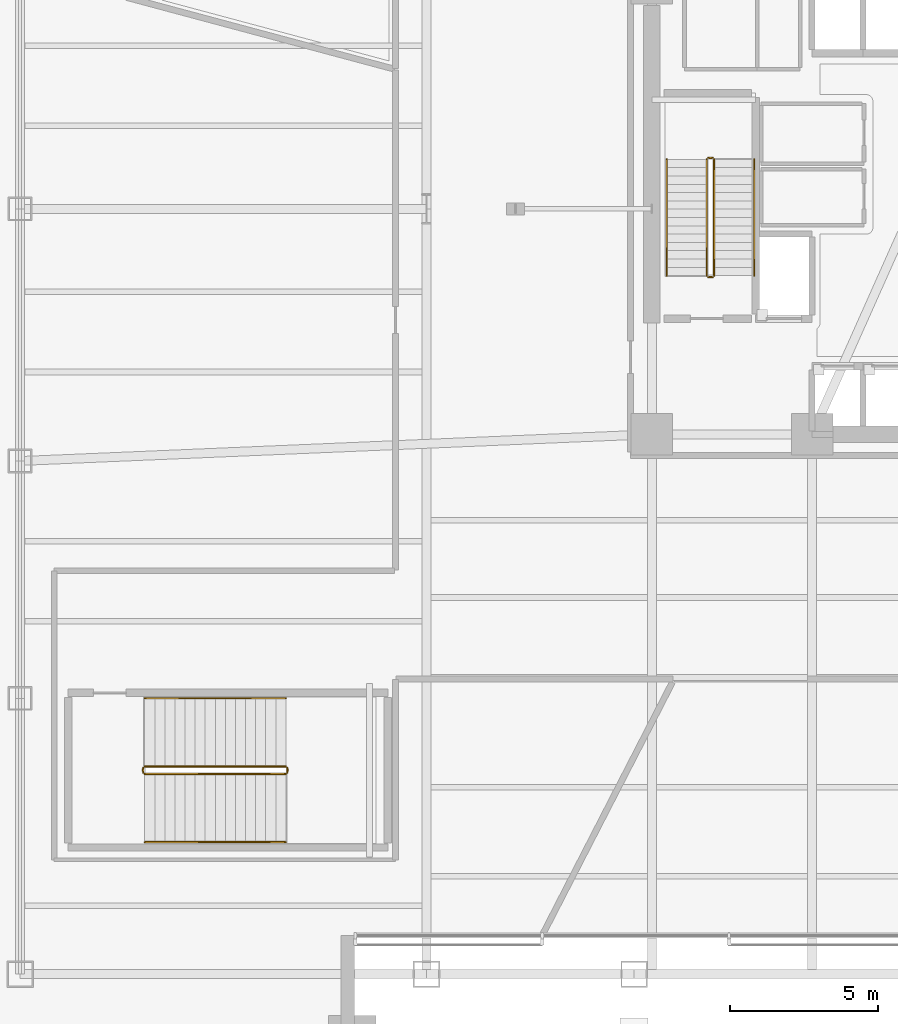
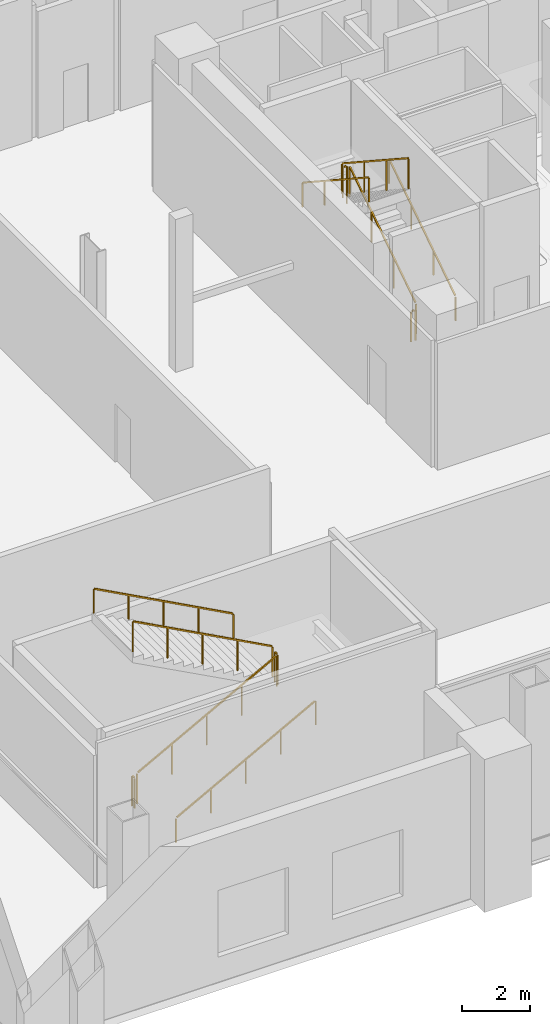
# One storey, part 13 of 16: 12 railings.
"""IFC4 building model written with IfcOpenShell, lengths in metres."""

import ifcopenshell
import ifcopenshell.guid

model = None  # the IFC model being written
_history = None  # IfcOwnerHistory: only IFC2X3 demands one
_inside = {}  # id of a spatial element -> (the spatial element, [elements in it])
_under = {}  # id of a project, library or spatial element -> (it, [spatial elements below it])
_declared = {}  # id of a project -> (the project, [libraries it declares])
_typed = {}  # id of a type object -> (the type object, [elements of that type])
_made_of = {}  # id of a material, layer set ... -> (it, [elements and type objects made of it])


def new_model(schema):
    """Start an empty IFC model of exactly this schema.

    Asked for "IFC4X3", IfcOpenShell would pick the latest addendum, in which some entities
    have other attributes; the version numbers below select the first issue.
    IFC2X3 requires an IfcOwnerHistory on every rooted entity: one is made here for all.
    """
    global model, _history
    if schema == "IFC4X3":
        model = ifcopenshell.file(schema_version=(4, 3, 0, 0))
    else:
        model = ifcopenshell.file(schema=schema)
    _inside.clear()
    _under.clear()
    _declared.clear()
    _typed.clear()
    _made_of.clear()
    _history = None
    if model.schema == "IFC2X3":
        org = make("IfcOrganization", Name="unknown")
        user = make(
            "IfcPersonAndOrganization",
            ThePerson=make("IfcPerson", FamilyName="unknown"),
            TheOrganization=org,
        )
        app = make(
            "IfcApplication",
            ApplicationDeveloper=org,
            Version="unknown",
            ApplicationFullName="unknown",
            ApplicationIdentifier="unknown",
        )
        _history = make(
            "IfcOwnerHistory",
            OwningUser=user,
            OwningApplication=app,
            ChangeAction="ADDED",
            CreationDate=0,
        )
    return model


def make(cls, **values):
    """One entity of the class cls with the attributes given. An attribute that is None is left unset."""
    return model.create_entity(
        cls, **{name: value for name, value in values.items() if value is not None}
    )


def rooted(cls, **values):
    """An entity with a GlobalId (a new one), such as an element, a storey or a relation."""
    return make(cls, GlobalId=ifcopenshell.guid.new(), OwnerHistory=_history, **values)


def si_unit(unit_type, name, prefix=None):
    """IfcSIUnit, for example si_unit("LENGTHUNIT", "METRE", prefix="MILLI")."""
    return make("IfcSIUnit", UnitType=unit_type, Prefix=prefix, Name=name)


def assignment(units):
    """IfcUnitAssignment: the units of a project."""
    return None if units is None else make("IfcUnitAssignment", Units=units)


def point(xyz):
    """IfcCartesianPoint."""
    return None if xyz is None else make("IfcCartesianPoint", Coordinates=xyz)


def direction(xyz):
    """IfcDirection."""
    return None if xyz is None else make("IfcDirection", DirectionRatios=xyz)


def frame(location, z_axis=None, x_axis=None):
    """IfcAxis2Placement3D, a coordinate frame: its origin and axes. An axis left out is left unset."""
    return make(
        "IfcAxis2Placement3D",
        Location=point(location),
        Axis=direction(z_axis),
        RefDirection=direction(x_axis),
    )


def frame_2d(location, x_axis=None):
    """IfcAxis2Placement2D, a coordinate frame in the plane: its origin and x axis."""
    return make(
        "IfcAxis2Placement2D", Location=point(location), RefDirection=direction(x_axis)
    )


def origin():
    """The frame at (0, 0, 0) with its axes left unset."""
    return frame((0.0, 0.0, 0.0))


def origin_2d():
    """The frame at (0, 0) in the plane with its x axis left unset."""
    return frame_2d((0.0, 0.0))


def place(relative_to, where):
    """IfcLocalPlacement: puts the frame where relative to a parent placement (None: the world)."""
    return make(
        "IfcLocalPlacement", PlacementRelTo=relative_to, RelativePlacement=where
    )


def context(
    kind, dimensions, precision=None, world=None, true_north=None, identifier=None
):
    """IfcGeometricRepresentationContext, for example the 3D "Model" context."""
    return make(
        "IfcGeometricRepresentationContext",
        ContextIdentifier=identifier,
        ContextType=kind,
        CoordinateSpaceDimension=dimensions,
        Precision=precision,
        WorldCoordinateSystem=world,
        TrueNorth=true_north,
    )


def subcontext(parent, identifier, kind, view, scale=None):
    """IfcGeometricRepresentationSubContext, for example "Body" below "Model"."""
    return make(
        "IfcGeometricRepresentationSubContext",
        ContextIdentifier=identifier,
        ContextType=kind,
        ParentContext=parent,
        TargetScale=scale,
        TargetView=view,
    )


def project(units=None, contexts=None):
    """IfcProject with its units and contexts."""
    return rooted(
        "IfcProject",
        Name="project",
        RepresentationContexts=contexts,
        UnitsInContext=assignment(units),
    )


def spatial(cls, under=None, at=None, **own):
    """A site, building, storey or space (cls), placed at a placement, below another one or the project."""
    s = rooted(cls, ObjectPlacement=at, **own)
    if under is not None:
        _under.setdefault(under.id(), (under, []))[1].append(s)
    return s


def profile(cls, at=None, kind="AREA", **sizes):
    """A parametric profile (cls). Its sizes go by their IFC names, for example OverallWidth=200.0."""
    return make(cls, ProfileType=kind, Position=at, **sizes)


def rectangle(**sizes):
    """IfcRectangleProfileDef."""
    return profile("IfcRectangleProfileDef", **sizes)


def extrude(swept, where, along, depth):
    """IfcExtrudedAreaSolid: the profile swept, set in the frame where, extruded along a direction by depth."""
    return make(
        "IfcExtrudedAreaSolid",
        SweptArea=swept,
        Position=where,
        ExtrudedDirection=direction(along),
        Depth=depth,
    )


def shape(context_of_items, identifier, shape_type, items):
    """IfcShapeRepresentation: the items that make up one representation, for example the "Body"."""
    return make(
        "IfcShapeRepresentation",
        ContextOfItems=context_of_items,
        RepresentationIdentifier=identifier,
        RepresentationType=shape_type,
        Items=items,
    )


def material(Name=None, Category=None):
    """IfcMaterial."""
    return make("IfcMaterial", Name=Name, Category=Category)


def made_of(thing, what):
    """Note that an element or type object is made of a material, layer set ...; save() writes the relation."""
    if what is not None:
        _made_of.setdefault(what.id(), (what, []))[1].append(thing)
    return thing


def type_object(cls, material=None, **own):
    """A type object (cls), such as IfcWallType, which elements share."""
    return made_of(rooted(cls, **own), material)


def element(
    cls,
    number,
    at=None,
    inside=None,
    cuts=None,
    type_object=None,
    material=None,
    context=None,
    identifier="Body",
    shape_type=None,
    held_by="IfcProductDefinitionShape",
    body=None,
    shapes=None,
    **own,
):
    """One element of the class cls, such as IfcWall. Its Tag is "e" and its number.

    at: its placement. inside: the storey or other place that contains it. cuts: it is an
    opening in that element (IfcRelVoidsElement). A single representation is given by context,
    identifier, shape_type and body (its items); several are given by shapes. held_by: the class
    of the entity that holds the representations. save() writes the other relations.
    """
    e = rooted(cls, Tag="e%d" % number, ObjectPlacement=at, **own)
    if body is not None:
        shapes = [shape(context, identifier, shape_type, body)]
    if shapes is not None:
        e.Representation = make(held_by, Representations=shapes)
    if inside is not None:
        _inside.setdefault(inside.id(), (inside, []))[1].append(e)
    if cuts is not None:
        rooted(
            "IfcRelVoidsElement", RelatingBuildingElement=cuts, RelatedOpeningElement=e
        )
    if type_object is not None:
        _typed.setdefault(type_object.id(), (type_object, []))[1].append(e)
    return made_of(e, material)


def aggregate(whole, parts):
    """IfcRelAggregates: a whole, such as a stair, and the parts it consists of."""
    return rooted("IfcRelAggregates", RelatingObject=whole, RelatedObjects=parts)


def save(model, path):
    """Write the relations noted so far, then the file.

    IfcRelAggregates (storeys below a building ...), IfcRelContainedInSpatialStructure (elements
    in a storey), IfcRelDefinesByType, IfcRelAssociatesMaterial and IfcRelDeclares: one each for
    every whole, place, type object, material and project.
    """
    for whole, parts in _under.values():
        aggregate(whole, parts)
    for where, things in _inside.values():
        rooted(
            "IfcRelContainedInSpatialStructure",
            RelatedElements=things,
            RelatingStructure=where,
        )
    for kind, things in _typed.values():
        rooted("IfcRelDefinesByType", RelatedObjects=things, RelatingType=kind)
    for what, things in _made_of.values():
        rooted("IfcRelAssociatesMaterial", RelatedObjects=things, RelatingMaterial=what)
    for by, libraries in _declared.values():
        rooted("IfcRelDeclares", RelatingContext=by, RelatedDefinitions=libraries)
    model.write(path)


model = new_model("IFC4")

# Units and contexts
model_context = context("Model", 3, precision=1e-05, world=origin(), true_north=direction((0.0, 1.0)))
body_context = subcontext(model_context, "Body", "Model", "MODEL_VIEW")
ifc_project = project(units=[si_unit("LENGTHUNIT", "METRE"), si_unit("AREAUNIT", "SQUARE_METRE"), si_unit("VOLUMEUNIT", "CUBIC_METRE"), si_unit("PLANEANGLEUNIT", "RADIAN"), si_unit("MASSUNIT", "GRAM", prefix="KILO")], contexts=[model_context])

# Site, building, storey
site_placement = place(None, origin())
site = spatial("IfcSite", under=ifc_project, at=site_placement, CompositionType="ELEMENT")
building_placement = place(site_placement, origin())
building = spatial("IfcBuilding", under=site, at=building_placement, Name="Tharavind Bronze Gate", CompositionType="ELEMENT")
storey_placement = place(building_placement, frame((0.0, 0.0, 5.5)))
storey = spatial("IfcBuildingStorey", under=building, at=storey_placement, Name="L01", CompositionType="ELEMENT", Elevation=5.5)

# Railings
ifc_material = material(Name="Brushed Bronze Alloy", Category="metal")
railing_type_1 = type_object("IfcRailingType", Name="STAIR BRONZE HANDRAIL 900", PredefinedType="HANDRAIL", material=ifc_material)
railing_1_placement = place(storey_placement, frame((-5.449951171875, -2.25, 0.183349609375)))
element("IfcRailing", 1, at=railing_1_placement, inside=storey, type_object=railing_type_1, Name="L01 ST1 stair handrail 1", PredefinedType="HANDRAIL", context=body_context, shape_type="SweptSolid", body=[
    extrude(rectangle(XDim=0.048095703125, YDim=0.048095703125, at=origin_2d()), frame((0.0, 0.02685546875, 0.893310546875), z_axis=(0.0, 0.836615117243, 0.547791151444), x_axis=(-1.0, 0.0, 0.0)), (0.0, 0.0, 1.0), 4.621337890625),
    extrude(rectangle(XDim=0.0400390625, YDim=0.0400390625, at=origin_2d()), origin(), (0.0, 0.0, 1.0), 0.847900390625),
    extrude(rectangle(XDim=0.0400390625, YDim=0.0400390625, at=origin_2d()), frame((0.0, 1.306640625, 0.85546875)), (0.0, 0.0, 1.0), 0.847900390625),
    extrude(rectangle(XDim=0.0400390625, YDim=0.0400390625, at=origin_2d()), frame((0.0, 2.61328125, 1.711181640625)), (0.0, 0.0, 1.0), 0.847900390625),
    extrude(rectangle(XDim=0.0400390625, YDim=0.0400390625, at=origin_2d()), frame((0.0, 3.919921875, 2.566650390625)), (0.0, 0.0, 1.0), 0.847900390625),
])
railing_2_placement = place(storey_placement, frame((-8.39990234375, 1.669921875, 2.933349609375)))
element("IfcRailing", 2, at=railing_2_placement, inside=storey, type_object=railing_type_1, Name="L01 ST1 stair handrail 2", PredefinedType="HANDRAIL", context=body_context, shape_type="SweptSolid", body=[
    extrude(rectangle(XDim=0.048095703125, YDim=0.048095703125, at=origin_2d()), frame((0.0, -0.02685546875, 0.893310546875), z_axis=(0.0, -0.836615117243, 0.547791151444), x_axis=(1.0, 0.0, 0.0)), (0.0, 0.0, 1.0), 4.621337890625),
    extrude(rectangle(XDim=0.0400390625, YDim=0.0400390625, at=origin_2d()), origin(), (0.0, 0.0, 1.0), 0.847900390625),
    extrude(rectangle(XDim=0.0400390625, YDim=0.0400390625, at=origin_2d()), frame((0.0, -1.306640625, 0.85546875)), (0.0, 0.0, 1.0), 0.847900390625),
    extrude(rectangle(XDim=0.0400390625, YDim=0.0400390625, at=origin_2d()), frame((0.0, -2.61328125, 1.711181640625)), (0.0, 0.0, 1.0), 0.847900390625),
    extrude(rectangle(XDim=0.0400390625, YDim=0.0400390625, at=origin_2d()), frame((0.0, -3.919921875, 2.566650390625)), (0.0, 0.0, 1.0), 0.847900390625),
])
railing_3_placement = place(storey_placement, frame((-26.0, -21.35009765625, 0.183349609375)))
element("IfcRailing", 3, at=railing_3_placement, inside=storey, type_object=railing_type_1, Name="L01 ST3 stair handrail 1", PredefinedType="HANDRAIL", context=body_context, shape_type="SweptSolid", body=[
    extrude(rectangle(XDim=0.048095703125, YDim=0.048095703125, at=origin_2d()), frame((0.028076171875, 0.0, 0.89111328125), z_axis=(0.880195524343, 0.0, 0.474611250316), x_axis=(0.0, 1.0, 0.0)), (0.0, 0.0, 1.0), 5.343994140625),
    extrude(rectangle(XDim=0.0400390625, YDim=0.0400390625, at=origin_2d()), origin(), (0.0, 0.0, 1.0), 0.847900390625),
    extrude(rectangle(XDim=0.0400390625, YDim=0.0400390625, at=origin_2d()), frame((1.18994140625, 0.0, 0.6416015625)), (0.0, 0.0, 1.0), 0.847900390625),
    extrude(rectangle(XDim=0.0400390625, YDim=0.0400390625, at=origin_2d()), frame((2.3798828125, 0.0, 1.283203125)), (0.0, 0.0, 1.0), 0.847900390625),
    extrude(rectangle(XDim=0.0400390625, YDim=0.0400390625, at=origin_2d()), frame((3.570068359375, 0.0, 1.925048828125)), (0.0, 0.0, 1.0), 0.847900390625),
    extrude(rectangle(XDim=0.0400390625, YDim=0.0400390625, at=origin_2d()), frame((4.760009765625, 0.0, 2.566650390625)), (0.0, 0.0, 1.0), 0.847900390625),
])
railing_4_placement = place(storey_placement, frame((-21.239990234375, -16.5, 2.933349609375)))
element("IfcRailing", 4, at=railing_4_placement, inside=storey, type_object=railing_type_1, Name="L01 ST3 stair handrail 2", PredefinedType="HANDRAIL", context=body_context, shape_type="SweptSolid", body=[
    extrude(rectangle(XDim=0.048095703125, YDim=0.048095703125, at=origin_2d()), frame((-0.028076171875, 0.0, 0.89111328125), z_axis=(-0.880195524343, 0.0, 0.474611250316), x_axis=(0.0, -1.0, 0.0)), (0.0, 0.0, 1.0), 5.343994140625),
    extrude(rectangle(XDim=0.0400390625, YDim=0.0400390625, at=origin_2d()), origin(), (0.0, 0.0, 1.0), 0.847900390625),
    extrude(rectangle(XDim=0.0400390625, YDim=0.0400390625, at=origin_2d()), frame((-1.18994140625, 0.0, 0.6416015625)), (0.0, 0.0, 1.0), 0.847900390625),
    extrude(rectangle(XDim=0.0400390625, YDim=0.0400390625, at=origin_2d()), frame((-2.3798828125, 0.0, 1.283203125)), (0.0, 0.0, 1.0), 0.847900390625),
    extrude(rectangle(XDim=0.0400390625, YDim=0.0400390625, at=origin_2d()), frame((-3.570068359375, 0.0, 1.925048828125)), (0.0, 0.0, 1.0), 0.847900390625),
    extrude(rectangle(XDim=0.0400390625, YDim=0.0400390625, at=origin_2d()), frame((-4.760009765625, 0.0, 2.566650390625)), (0.0, 0.0, 1.0), 0.847900390625),
])
railing_type_2 = type_object("IfcRailingType", Name="STAIR WELL GUARD RAILING 1120", PredefinedType="GUARDRAIL", material=ifc_material)
railing_5_placement = place(storey_placement, frame((-6.800048828125, -2.25, 0.183349609375)))
element("IfcRailing", 5, at=railing_5_placement, inside=storey, type_object=railing_type_2, Name="L01 ST1 stair guard 1", PredefinedType="GUARDRAIL", context=body_context, shape_type="SweptSolid", body=[
    extrude(rectangle(XDim=0.048095703125, YDim=0.048095703125, at=origin_2d()), frame((0.0, 0.02685546875, 1.113525390625), z_axis=(0.0, 0.836615117243, 0.547791151444), x_axis=(-1.0, 0.0, 0.0)), (0.0, 0.0, 1.0), 4.621337890625),
    extrude(rectangle(XDim=0.0400390625, YDim=0.0400390625, at=origin_2d()), origin(), (0.0, 0.0, 1.0), 1.068115234375),
    extrude(rectangle(XDim=0.0400390625, YDim=0.0400390625, at=origin_2d()), frame((0.0, 1.306640625, 0.85546875)), (0.0, 0.0, 1.0), 1.068115234375),
    extrude(rectangle(XDim=0.0400390625, YDim=0.0400390625, at=origin_2d()), frame((0.0, 2.61328125, 1.711181640625)), (0.0, 0.0, 1.0), 1.068115234375),
    extrude(rectangle(XDim=0.0400390625, YDim=0.0400390625, at=origin_2d()), frame((0.0, 3.919921875, 2.566650390625)), (0.0, 0.0, 1.0), 1.068115234375),
])
railing_6_placement = place(storey_placement, frame((-6.85009765625, 1.719970703125, 2.75)))
element("IfcRailing", 6, at=railing_6_placement, inside=storey, type_object=railing_type_2, Name="L01 ST1 stair guard 2", PredefinedType="GUARDRAIL", context=body_context, shape_type="SweptSolid", body=[
    extrude(rectangle(XDim=0.048095703125, YDim=0.048095703125, at=origin_2d()), frame((-0.031982421875, 0.0, 1.09619140625), z_axis=(-1.0, 0.0, 0.0), x_axis=(0.0, -1.0, 0.0)), (0.0, 0.0, 1.0), 0.0859375),
    extrude(rectangle(XDim=0.0400390625, YDim=0.0400390625, at=origin_2d()), origin(), (0.0, 0.0, 1.0), 1.068115234375),
    extrude(rectangle(XDim=0.0400390625, YDim=0.0400390625, at=origin_2d()), frame((-0.14990234375, 0.0, 0.0)), (0.0, 0.0, 1.0), 1.068115234375),
])
railing_7_placement = place(storey_placement, frame((-7.050048828125, 1.669921875, 2.933349609375)))
element("IfcRailing", 7, at=railing_7_placement, inside=storey, type_object=railing_type_2, Name="L01 ST1 stair guard 3", PredefinedType="GUARDRAIL", context=body_context, shape_type="SweptSolid", body=[
    extrude(rectangle(XDim=0.048095703125, YDim=0.048095703125, at=origin_2d()), frame((0.0, -0.02685546875, 1.113525390625), z_axis=(0.0, -0.836615117243, 0.547791151444), x_axis=(1.0, 0.0, 0.0)), (0.0, 0.0, 1.0), 4.621337890625),
    extrude(rectangle(XDim=0.0400390625, YDim=0.0400390625, at=origin_2d()), origin(), (0.0, 0.0, 1.0), 1.068115234375),
    extrude(rectangle(XDim=0.0400390625, YDim=0.0400390625, at=origin_2d()), frame((0.0, -1.306640625, 0.85546875)), (0.0, 0.0, 1.0), 1.068115234375),
    extrude(rectangle(XDim=0.0400390625, YDim=0.0400390625, at=origin_2d()), frame((0.0, -2.61328125, 1.711181640625)), (0.0, 0.0, 1.0), 1.068115234375),
    extrude(rectangle(XDim=0.0400390625, YDim=0.0400390625, at=origin_2d()), frame((0.0, -3.919921875, 2.566650390625)), (0.0, 0.0, 1.0), 1.068115234375),
])
railing_8_placement = place(storey_placement, frame((-6.85009765625, -2.300048828125, 0.0)))
element("IfcRailing", 8, at=railing_8_placement, inside=storey, type_object=railing_type_2, Name="L01 ST1 stair guard 4", PredefinedType="GUARDRAIL", context=body_context, shape_type="SweptSolid", body=[
    extrude(rectangle(XDim=0.048095703125, YDim=0.048095703125, at=origin_2d()), frame((-0.031982421875, 0.0, 1.09619140625), z_axis=(-1.0, 0.0, 0.0), x_axis=(0.0, -1.0, 0.0)), (0.0, 0.0, 1.0), 0.0859375),
    extrude(rectangle(XDim=0.0400390625, YDim=0.0400390625, at=origin_2d()), origin(), (0.0, 0.0, 1.0), 1.068115234375),
    extrude(rectangle(XDim=0.0400390625, YDim=0.0400390625, at=origin_2d()), frame((-0.14990234375, 0.0, 0.0)), (0.0, 0.0, 1.0), 1.068115234375),
])
railing_9_placement = place(storey_placement, frame((-26.0, -19.050048828125, 0.183349609375)))
element("IfcRailing", 9, at=railing_9_placement, inside=storey, type_object=railing_type_2, Name="L01 ST3 stair guard 1", PredefinedType="GUARDRAIL", context=body_context, shape_type="SweptSolid", body=[
    extrude(rectangle(XDim=0.048095703125, YDim=0.048095703125, at=origin_2d()), frame((0.028076171875, 0.0, 1.111328125), z_axis=(0.880195524343, 0.0, 0.474611250316), x_axis=(0.0, 1.0, 0.0)), (0.0, 0.0, 1.0), 5.343994140625),
    extrude(rectangle(XDim=0.0400390625, YDim=0.0400390625, at=origin_2d()), origin(), (0.0, 0.0, 1.0), 1.068115234375),
    extrude(rectangle(XDim=0.0400390625, YDim=0.0400390625, at=origin_2d()), frame((1.18994140625, 0.0, 0.6416015625)), (0.0, 0.0, 1.0), 1.068115234375),
    extrude(rectangle(XDim=0.0400390625, YDim=0.0400390625, at=origin_2d()), frame((2.3798828125, 0.0, 1.283203125)), (0.0, 0.0, 1.0), 1.068115234375),
    extrude(rectangle(XDim=0.0400390625, YDim=0.0400390625, at=origin_2d()), frame((3.570068359375, 0.0, 1.925048828125)), (0.0, 0.0, 1.0), 1.068115234375),
    extrude(rectangle(XDim=0.0400390625, YDim=0.0400390625, at=origin_2d()), frame((4.760009765625, 0.0, 2.566650390625)), (0.0, 0.0, 1.0), 1.068115234375),
])
railing_10_placement = place(storey_placement, frame((-21.18994140625, -19.0, 2.75)))
element("IfcRailing", 10, at=railing_10_placement, inside=storey, type_object=railing_type_2, Name="L01 ST3 stair guard 2", PredefinedType="GUARDRAIL", context=body_context, shape_type="SweptSolid", body=[
    extrude(rectangle(XDim=0.048095703125, YDim=0.048095703125, at=origin_2d()), frame((0.0, 0.031982421875, 1.09619140625), z_axis=(0.0, 1.0, 0.0), x_axis=(-1.0, 0.0, 0.0)), (0.0, 0.0, 1.0), 0.0859375),
    extrude(rectangle(XDim=0.0400390625, YDim=0.0400390625, at=origin_2d()), origin(), (0.0, 0.0, 1.0), 1.068115234375),
    extrude(rectangle(XDim=0.0400390625, YDim=0.0400390625, at=origin_2d()), frame((0.0, 0.14990234375, 0.0)), (0.0, 0.0, 1.0), 1.068115234375),
])
railing_11_placement = place(storey_placement, frame((-21.239990234375, -18.800048828125, 2.933349609375)))
element("IfcRailing", 11, at=railing_11_placement, inside=storey, type_object=railing_type_2, Name="L01 ST3 stair guard 3", PredefinedType="GUARDRAIL", context=body_context, shape_type="SweptSolid", body=[
    extrude(rectangle(XDim=0.048095703125, YDim=0.048095703125, at=origin_2d()), frame((-0.028076171875, 0.0, 1.111328125), z_axis=(-0.880195524343, 0.0, 0.474611250316), x_axis=(0.0, -1.0, 0.0)), (0.0, 0.0, 1.0), 5.343994140625),
    extrude(rectangle(XDim=0.0400390625, YDim=0.0400390625, at=origin_2d()), origin(), (0.0, 0.0, 1.0), 1.068115234375),
    extrude(rectangle(XDim=0.0400390625, YDim=0.0400390625, at=origin_2d()), frame((-1.18994140625, 0.0, 0.6416015625)), (0.0, 0.0, 1.0), 1.068115234375),
    extrude(rectangle(XDim=0.0400390625, YDim=0.0400390625, at=origin_2d()), frame((-2.3798828125, 0.0, 1.283203125)), (0.0, 0.0, 1.0), 1.068115234375),
    extrude(rectangle(XDim=0.0400390625, YDim=0.0400390625, at=origin_2d()), frame((-3.570068359375, 0.0, 1.925048828125)), (0.0, 0.0, 1.0), 1.068115234375),
    extrude(rectangle(XDim=0.0400390625, YDim=0.0400390625, at=origin_2d()), frame((-4.760009765625, 0.0, 2.566650390625)), (0.0, 0.0, 1.0), 1.068115234375),
])
railing_12_placement = place(storey_placement, frame((-26.050048828125, -19.0, 0.0)))
element("IfcRailing", 12, at=railing_12_placement, inside=storey, type_object=railing_type_2, Name="L01 ST3 stair guard 4", PredefinedType="GUARDRAIL", context=body_context, shape_type="SweptSolid", body=[
    extrude(rectangle(XDim=0.048095703125, YDim=0.048095703125, at=origin_2d()), frame((0.0, 0.031982421875, 1.09619140625), z_axis=(0.0, 1.0, 0.0), x_axis=(-1.0, 0.0, 0.0)), (0.0, 0.0, 1.0), 0.0859375),
    extrude(rectangle(XDim=0.0400390625, YDim=0.0400390625, at=origin_2d()), origin(), (0.0, 0.0, 1.0), 1.068115234375),
    extrude(rectangle(XDim=0.0400390625, YDim=0.0400390625, at=origin_2d()), frame((0.0, 0.14990234375, 0.0)), (0.0, 0.0, 1.0), 1.068115234375),
])

save(model, "model.ifc")
